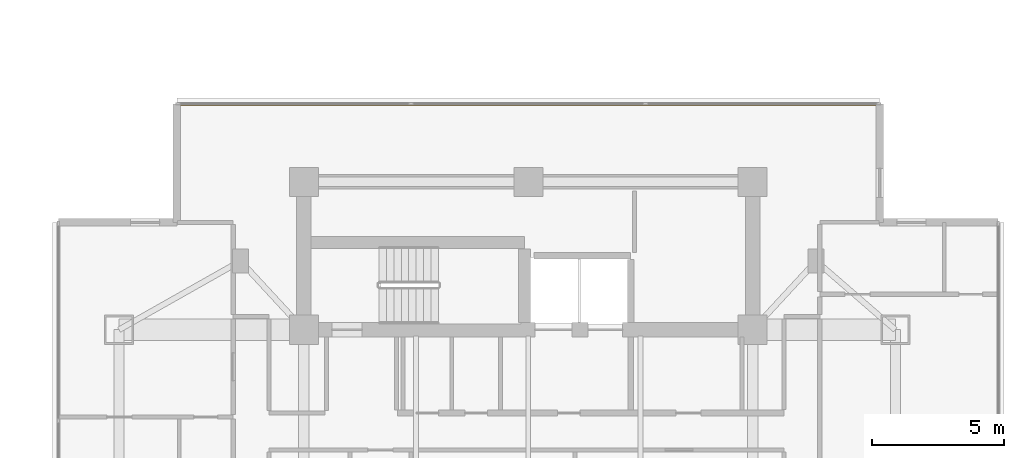
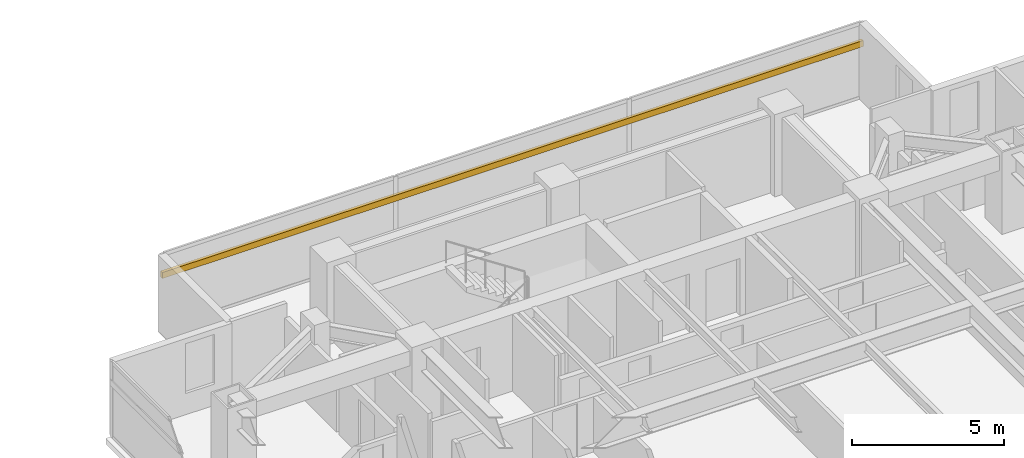
# One storey, part 25 of 25: 1 shading device.
"""IFC4 building model written with IfcOpenShell, lengths in metres."""

from ifc_helpers import new_model, si_unit, direction, frame, origin, origin_2d, place, context, subcontext, project, spatial, rectangle, extrude, material, material_profile, profile_set, type_object, element, save


model = new_model("IFC4")

# Units and contexts
model_context = context("Model", 3, precision=1e-05, world=origin(), true_north=direction((0.0, 1.0)))
body_context = subcontext(model_context, "Body", "Model", "MODEL_VIEW")
ifc_project = project(units=[si_unit("LENGTHUNIT", "METRE"), si_unit("AREAUNIT", "SQUARE_METRE"), si_unit("VOLUMEUNIT", "CUBIC_METRE"), si_unit("PLANEANGLEUNIT", "RADIAN"), si_unit("MASSUNIT", "GRAM", prefix="KILO")], contexts=[model_context])

# Site, building, storey
site_placement = place(None, origin())
site = spatial("IfcSite", under=ifc_project, at=site_placement, CompositionType="ELEMENT")
building_placement = place(site_placement, origin())
building = spatial("IfcBuilding", under=site, at=building_placement, Name="Mirazonda Arch Towers", CompositionType="ELEMENT")
storey_placement = place(building_placement, frame((0.0, 0.0, 131.300048828125)))
storey = spatial("IfcBuildingStorey", under=building, at=storey_placement, Name="L37", CompositionType="ELEMENT", Elevation=131.300048828125)

# Shading device
ifc_material = material(Name="Kiln-Fired Architectural Terracotta", Category="masonry")
ifc_material_profile = material_profile(ifc_material, rectangle(XDim=0.1201171875, YDim=0.239990234375, at=origin_2d()), Name="TERRA-BAG-120x240")
ifc_profile_set = profile_set([ifc_material_profile], Name="Kiln-Fired Architectural Terracotta")
shading_device_type = type_object("IfcShadingDeviceType", Name="BAGUETTE-1", PredefinedType="USERDEFINED", material=ifc_profile_set)
shading_device_placement = place(storey_placement, frame((63.189453125, 43.752197265625, 2.203125), z_axis=(1.0, 0.0, 0.0), x_axis=(0.0, 1.0, 0.0)))
element("IfcShadingDevice", 1, at=shading_device_placement, inside=storey, type_object=shading_device_type, Name="L37 Glazed Terracotta Sun-Screen Baguette CW-L37-T2-N", ObjectType="BAGUETTE", PredefinedType="USERDEFINED", context=body_context, shape_type="SweptSolid", body=[
    extrude(rectangle(XDim=0.1201171875, YDim=0.239990234375, at=origin_2d()), origin(), (0.0, 0.0, 1.0), 26.62109375),
])

save(model, "model.ifc")
